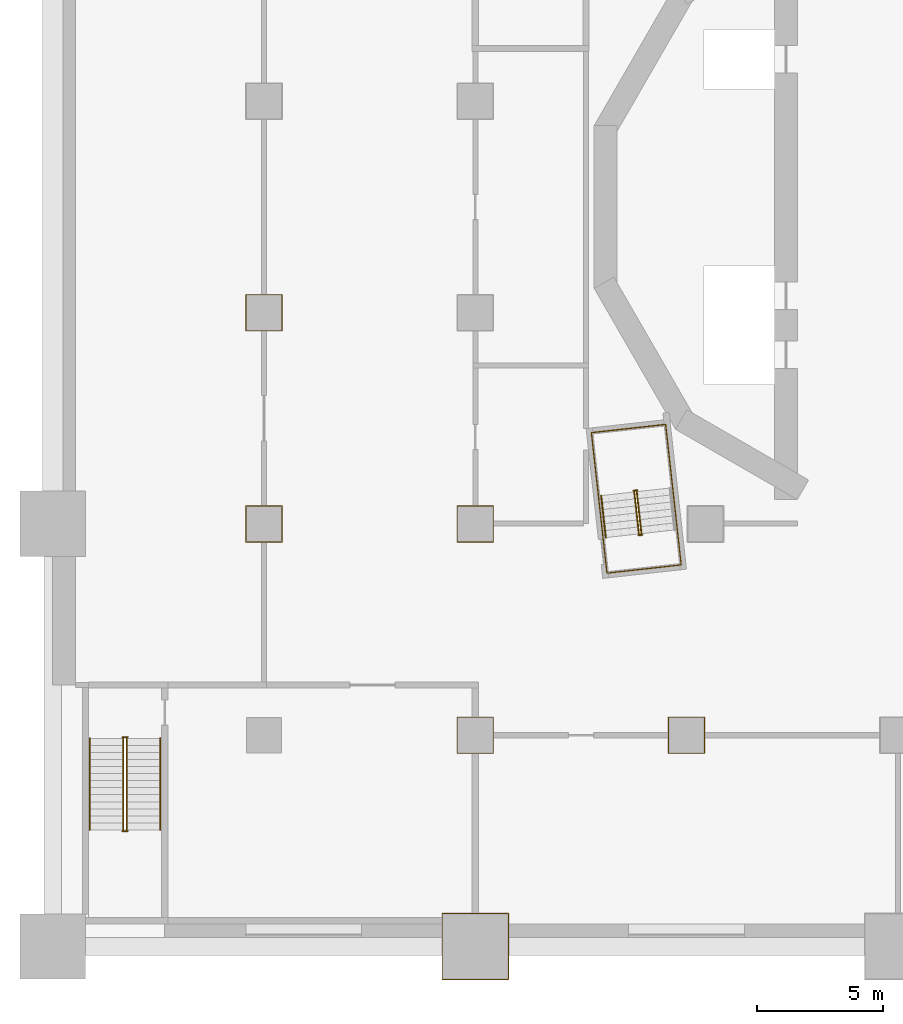
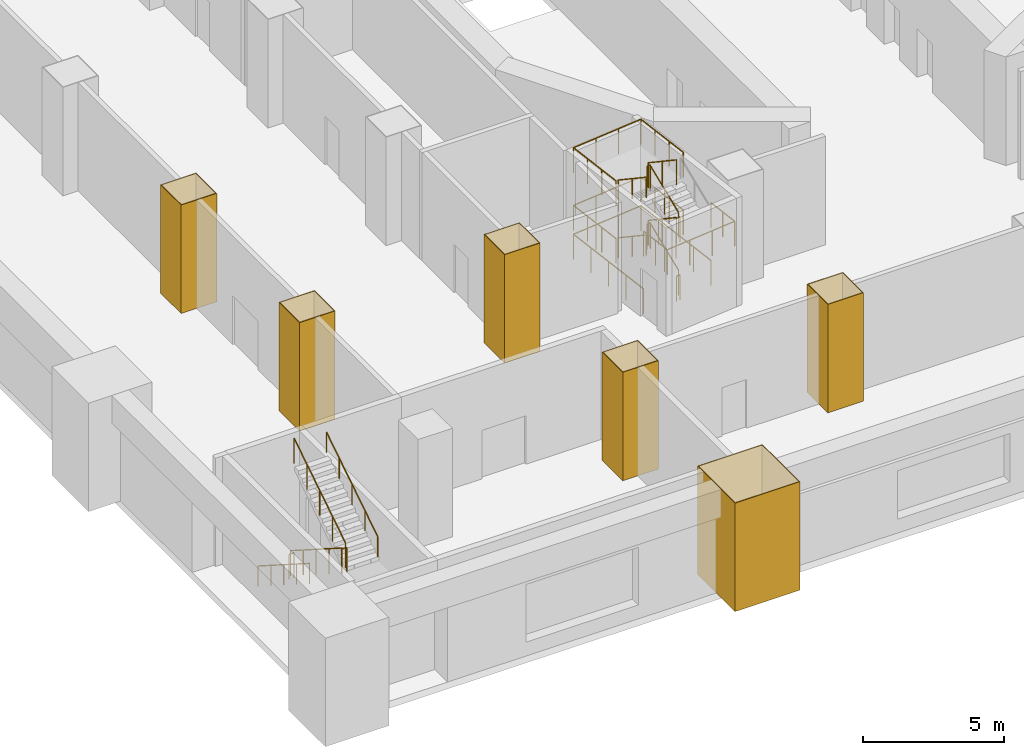
# One storey, part 9 of 18: 17 railings, 6 coverings.
"""IFC4 building model written with IfcOpenShell, lengths in metres."""

from ifc_helpers import new_model, si_unit, direction, frame, origin, origin_2d, place, context, subcontext, project, spatial, polyline, circle, outline, extrude, material, layer, layer_set, type_object, element, save


model = new_model("IFC4")

# Units and contexts
model_context = context("Model", 3, precision=1e-05, world=origin(), true_north=direction((0.0, 1.0)))
body_context = subcontext(model_context, "Body", "Model", "MODEL_VIEW")
ifc_project = project(units=[si_unit("LENGTHUNIT", "METRE"), si_unit("AREAUNIT", "SQUARE_METRE"), si_unit("VOLUMEUNIT", "CUBIC_METRE"), si_unit("PLANEANGLEUNIT", "RADIAN"), si_unit("MASSUNIT", "GRAM", prefix="KILO")], contexts=[model_context])

# Site, building, storey
site_placement = place(None, origin())
site = spatial("IfcSite", under=ifc_project, at=site_placement, CompositionType="ELEMENT")
building_placement = place(site_placement, origin())
building = spatial("IfcBuilding", under=site, at=building_placement, Name="Cantera Rosa Tower", CompositionType="ELEMENT")
storey_placement = place(building_placement, frame((0.0, 0.0, 17.0)))
storey = spatial("IfcBuildingStorey", under=building, at=storey_placement, Name="L02", CompositionType="ELEMENT", Elevation=17.0)

# Coverings
ifc_material_1 = material(Name="Plaster")
ifc_layer = layer(ifc_material_1, 0.030029296875)
ifc_layer_set = layer_set([ifc_layer], Name="Column casing 30")
covering_type = type_object("IfcCoveringType", Name="Column casing 30", PredefinedType="CLADDING", material=ifc_layer_set)
covering_1_placement = place(storey_placement, origin())
element("IfcCovering", 1, at=covering_1_placement, inside=storey, type_object=covering_type, Name="Column casing L02-001", PredefinedType="CLADDING", context=body_context, shape_type="SweptSolid", body=[
    extrude(outline(polyline([(-25.929931640625, -13.330078125), (-24.469970703125, -13.330078125), (-24.469970703125, -11.8701171875), (-25.929931640625, -11.8701171875), (-25.929931640625, -13.330078125)]), holes=[polyline([(-24.5, -11.89990234375), (-25.89990234375, -11.89990234375), (-25.89990234375, -13.300048828125), (-24.5, -13.300048828125), (-24.5, -11.89990234375)])]), origin(), (0.0, 0.0, 1.0), 4.699951171875),
])
covering_2_placement = place(storey_placement, origin())
element("IfcCovering", 2, at=covering_2_placement, inside=storey, type_object=covering_type, Name="Column casing L02-002", PredefinedType="CLADDING", context=body_context, shape_type="SweptSolid", body=[
    extrude(outline(polyline([(-25.929931640625, -4.929931640625), (-24.469970703125, -4.929931640625), (-24.469970703125, -3.469970703125), (-25.929931640625, -3.469970703125), (-25.929931640625, -4.929931640625)]), holes=[polyline([(-24.5, -3.5), (-25.89990234375, -3.5), (-25.89990234375, -4.89990234375), (-24.5, -4.89990234375), (-24.5, -3.5)])]), origin(), (0.0, 0.0, 1.0), 4.699951171875),
])
covering_3_placement = place(storey_placement, origin())
element("IfcCovering", 3, at=covering_3_placement, inside=storey, type_object=covering_type, Name="Column casing L02-005", PredefinedType="CLADDING", context=body_context, shape_type="SweptSolid", body=[
    extrude(outline(polyline([(-18.1298828125, -30.72998046875), (-15.469970703125, -30.72998046875), (-15.469970703125, -28.070068359375), (-18.1298828125, -28.070068359375), (-18.1298828125, -30.72998046875)]), holes=[polyline([(-15.5, -28.10009765625), (-18.10009765625, -28.10009765625), (-18.10009765625, -30.699951171875), (-15.5, -30.699951171875), (-15.5, -28.10009765625)])]), origin(), (0.0, 0.0, 1.0), 4.699951171875),
])
covering_4_placement = place(storey_placement, origin())
element("IfcCovering", 4, at=covering_4_placement, inside=storey, type_object=covering_type, Name="Column casing L02-006", PredefinedType="CLADDING", context=body_context, shape_type="SweptSolid", body=[
    extrude(outline(polyline([(-17.530029296875, -21.72998046875), (-16.070068359375, -21.72998046875), (-16.070068359375, -20.27001953125), (-17.530029296875, -20.27001953125), (-17.530029296875, -21.72998046875)]), holes=[polyline([(-16.10009765625, -20.300048828125), (-17.5, -20.300048828125), (-17.5, -21.699951171875), (-16.10009765625, -21.699951171875), (-16.10009765625, -20.300048828125)])]), origin(), (0.0, 0.0, 1.0), 4.699951171875),
])
covering_5_placement = place(storey_placement, origin())
element("IfcCovering", 5, at=covering_5_placement, inside=storey, type_object=covering_type, Name="Column casing L02-007", PredefinedType="CLADDING", context=body_context, shape_type="SweptSolid", body=[
    extrude(outline(polyline([(-17.530029296875, -13.330078125), (-16.070068359375, -13.330078125), (-16.070068359375, -11.8701171875), (-17.530029296875, -11.8701171875), (-17.530029296875, -13.330078125)]), holes=[polyline([(-16.10009765625, -11.89990234375), (-17.5, -11.89990234375), (-17.5, -13.300048828125), (-16.10009765625, -13.300048828125), (-16.10009765625, -11.89990234375)])]), origin(), (0.0, 0.0, 1.0), 4.699951171875),
])
covering_6_placement = place(storey_placement, origin())
element("IfcCovering", 6, at=covering_6_placement, inside=storey, type_object=covering_type, Name="Column casing L02-013", PredefinedType="CLADDING", context=body_context, shape_type="SweptSolid", body=[
    extrude(outline(polyline([(-9.1298828125, -21.72998046875), (-7.669921875, -21.72998046875), (-7.669921875, -20.27001953125), (-9.1298828125, -20.27001953125), (-9.1298828125, -21.72998046875)]), holes=[polyline([(-7.699951171875, -20.300048828125), (-9.10009765625, -20.300048828125), (-9.10009765625, -21.699951171875), (-7.699951171875, -21.699951171875), (-7.699951171875, -20.300048828125)])]), origin(), (0.0, 0.0, 1.0), 4.699951171875),
])

# Railings
ifc_material_2 = material(Name="Steel S355J2 (EN 10025-2)", Category="steel")
railing_type_1 = type_object("IfcRailingType", Name="STAIR GUARD 1100", PredefinedType="GUARDRAIL", material=ifc_material_2)
railing_1_placement = place(storey_placement, frame((-10.19677734375, -12.986083984375, 0.178466796875)))
element("IfcRailing", 7, at=railing_1_placement, inside=storey, type_object=railing_type_1, Name="L02 ST-13 stair guard 1", PredefinedType="GUARDRAIL", context=body_context, shape_type="SweptSolid", body=[
    extrude(circle(Radius=0.02392578125, at=origin_2d()), frame((0.0, 0.0, 1.076171875), z_axis=(-0.092996744609, 0.837950904326, 0.537763784046), x_axis=(-0.993897904819, -0.110303920128, 0.0)), (0.0, 0.0, 1.0), 1.99267578125),
    extrude(circle(Radius=0.02392578125, at=origin_2d()), frame((-0.185302734375, 1.669677734375, 2.1474609375), z_axis=(0.358689472963, 0.933456941688, 0.0), x_axis=(-0.933456941688, 0.358689472963, 0.0)), (0.0, 0.0, 1.0), 0.056396484375),
    extrude(circle(Radius=0.02392578125, at=origin_2d()), frame((-0.1650390625, 1.722412109375, 2.1474609375), z_axis=(-0.993863881828, -0.110610055588, 0.0), x_axis=(0.110610055588, -0.993863881828, 0.0)), (0.0, 0.0, 1.0), 0.150146484375),
    extrude(circle(Radius=0.02099609375, at=origin_2d()), origin(), (0.0, 0.0, 1.0), 1.052001953125),
    extrude(circle(Radius=0.02099609375, at=origin_2d()), frame((-0.0927734375, 0.8349609375, 0.53564453125)), (0.0, 0.0, 1.0), 1.052001953125),
    extrude(circle(Radius=0.02099609375, at=origin_2d()), frame((-0.185302734375, 1.669677734375, 1.071533203125)), (0.0, 0.0, 1.0), 1.052001953125),
    extrude(circle(Radius=0.02099609375, at=origin_2d()), frame((-0.1650390625, 1.722412109375, 1.071533203125)), (0.0, 0.0, 1.0), 1.052001953125),
    extrude(circle(Radius=0.02099609375, at=origin_2d()), frame((-0.314208984375, 1.705810546875, 1.071533203125)), (0.0, 0.0, 1.0), 1.052001953125),
])
railing_2_placement = place(storey_placement, frame((-10.4794921875, -11.3271484375, 1.428466796875)))
element("IfcRailing", 8, at=railing_2_placement, inside=storey, type_object=railing_type_1, Name="L02 ST-13 stair guard 2", PredefinedType="GUARDRAIL", context=body_context, shape_type="SweptSolid", body=[
    extrude(circle(Radius=0.02392578125, at=origin_2d()), frame((0.0, 0.0, 1.076171875), z_axis=(0.092996744609, -0.837950904326, 0.537763784046), x_axis=(0.993897904819, 0.110303920128, 0.0)), (0.0, 0.0, 1.0), 1.99267578125),
    extrude(circle(Radius=0.02392578125, at=origin_2d()), frame((0.185302734375, -1.669677734375, 2.1474609375), z_axis=(-0.363909256389, -0.931434406233, 0.0), x_axis=(0.931434406233, -0.363909256389, 0.0)), (0.0, 0.0, 1.0), 0.056396484375),
    extrude(circle(Radius=0.02392578125, at=origin_2d()), frame((0.164794921875, -1.72216796875, 2.1474609375), z_axis=(0.994041430915, 0.1090029065, 0.0), x_axis=(-0.1090029065, 0.994041430915, 0.0)), (0.0, 0.0, 1.0), 0.150146484375),
    extrude(circle(Radius=0.02099609375, at=origin_2d()), origin(), (0.0, 0.0, 1.0), 1.052001953125),
    extrude(circle(Radius=0.02099609375, at=origin_2d()), frame((0.0927734375, -0.8349609375, 0.53564453125)), (0.0, 0.0, 1.0), 1.052001953125),
    extrude(circle(Radius=0.02099609375, at=origin_2d()), frame((0.185302734375, -1.669677734375, 1.071533203125)), (0.0, 0.0, 1.0), 1.052001953125),
    extrude(circle(Radius=0.02099609375, at=origin_2d()), frame((0.164794921875, -1.72216796875, 1.071533203125)), (0.0, 0.0, 1.0), 1.052001953125),
    extrude(circle(Radius=0.02099609375, at=origin_2d()), frame((0.31396484375, -1.705810546875, 1.071533203125)), (0.0, 0.0, 1.0), 1.052001953125),
])
railing_3_placement = place(storey_placement, frame((-10.19677734375, -12.986083984375, 2.678466796875)))
element("IfcRailing", 9, at=railing_3_placement, inside=storey, type_object=railing_type_1, Name="L02 ST-13 stair guard 3", PredefinedType="GUARDRAIL", context=body_context, shape_type="SweptSolid", body=[
    extrude(circle(Radius=0.02392578125, at=origin_2d()), frame((0.0, 0.0, 1.076171875), z_axis=(-0.092996744609, 0.837950904326, 0.537763784046), x_axis=(-0.993897904819, -0.110303920128, 0.0)), (0.0, 0.0, 1.0), 1.99267578125),
    extrude(circle(Radius=0.02392578125, at=origin_2d()), frame((-0.185302734375, 1.669677734375, 2.1474609375), z_axis=(0.358689472963, 0.933456941688, 0.0), x_axis=(-0.933456941688, 0.358689472963, 0.0)), (0.0, 0.0, 1.0), 0.056396484375),
    extrude(circle(Radius=0.02392578125, at=origin_2d()), frame((-0.1650390625, 1.722412109375, 2.1474609375), z_axis=(-0.993863881828, -0.110610055588, 0.0), x_axis=(0.110610055588, -0.993863881828, 0.0)), (0.0, 0.0, 1.0), 0.150146484375),
    extrude(circle(Radius=0.02099609375, at=origin_2d()), origin(), (0.0, 0.0, 1.0), 1.052001953125),
    extrude(circle(Radius=0.02099609375, at=origin_2d()), frame((-0.0927734375, 0.8349609375, 0.53564453125)), (0.0, 0.0, 1.0), 1.052001953125),
    extrude(circle(Radius=0.02099609375, at=origin_2d()), frame((-0.185302734375, 1.669677734375, 1.071533203125)), (0.0, 0.0, 1.0), 1.052001953125),
    extrude(circle(Radius=0.02099609375, at=origin_2d()), frame((-0.1650390625, 1.722412109375, 1.071533203125)), (0.0, 0.0, 1.0), 1.052001953125),
    extrude(circle(Radius=0.02099609375, at=origin_2d()), frame((-0.314208984375, 1.705810546875, 1.071533203125)), (0.0, 0.0, 1.0), 1.052001953125),
])
railing_4_placement = place(storey_placement, frame((-10.4794921875, -11.3271484375, 3.928466796875)))
element("IfcRailing", 10, at=railing_4_placement, inside=storey, type_object=railing_type_1, Name="L02 ST-13 stair guard 4", PredefinedType="GUARDRAIL", context=body_context, shape_type="SweptSolid", body=[
    extrude(circle(Radius=0.02392578125, at=origin_2d()), frame((0.0, 0.0, 1.076171875), z_axis=(0.092996744609, -0.837950904326, 0.537763784046), x_axis=(0.993897904819, 0.110303920128, 0.0)), (0.0, 0.0, 1.0), 1.99267578125),
    extrude(circle(Radius=0.02099609375, at=origin_2d()), origin(), (0.0, 0.0, 1.0), 1.052001953125),
    extrude(circle(Radius=0.02099609375, at=origin_2d()), frame((0.0927734375, -0.8349609375, 0.53564453125)), (0.0, 0.0, 1.0), 1.052001953125),
    extrude(circle(Radius=0.02099609375, at=origin_2d()), frame((0.185302734375, -1.669677734375, 1.071533203125)), (0.0, 0.0, 1.0), 1.052001953125),
])
railing_5_placement = place(storey_placement, frame((-10.16552734375, -13.032958984375, 0.0)))
element("IfcRailing", 11, at=railing_5_placement, inside=storey, type_object=railing_type_1, Name="L02 ST-13 stair guard 5", PredefinedType="GUARDRAIL", context=body_context, shape_type="SweptSolid", body=[
    extrude(circle(Radius=0.02392578125, at=origin_2d()), frame((0.0, 0.0, 1.076171875), z_axis=(-0.994041430915, -0.1090029065, 0.0), x_axis=(0.1090029065, -0.994041430915, 0.0)), (0.0, 0.0, 1.0), 0.150146484375),
    extrude(circle(Radius=0.02099609375, at=origin_2d()), origin(), (0.0, 0.0, 1.0), 1.052001953125),
    extrude(circle(Radius=0.02099609375, at=origin_2d()), frame((-0.149169921875, -0.016357421875, 0.0)), (0.0, 0.0, 1.0), 1.052001953125),
])
railing_6_placement = place(storey_placement, frame((-8.77099609375, -12.815673828125, 0.0)))
element("IfcRailing", 12, at=railing_6_placement, inside=storey, type_object=railing_type_1, Name="L02 ST-13 stair guard 6", PredefinedType="GUARDRAIL", context=body_context, shape_type="SweptSolid", body=[
    extrude(circle(Radius=0.02392578125, at=origin_2d()), frame((0.0, 0.0, 1.076171875), z_axis=(-0.110323013767, 0.9938957856, 0.0), x_axis=(-0.9938957856, -0.110323013767, 0.0)), (0.0, 0.0, 1.0), 4.197998046875),
    extrude(circle(Radius=0.02392578125, at=origin_2d()), frame((-0.463134765625, 4.17236328125, 1.076171875), z_axis=(-0.993896759678, -0.110314237986, 0.0), x_axis=(0.110314237986, -0.993896759678, 0.0)), (0.0, 0.0, 1.0), 2.969970703125),
    extrude(circle(Radius=0.02392578125, at=origin_2d()), frame((-3.4150390625, 3.8447265625, 1.076171875), z_axis=(0.110323013767, -0.9938957856, 0.0), x_axis=(0.9938957856, 0.110323013767, 0.0)), (0.0, 0.0, 1.0), 4.197998046875),
    extrude(circle(Radius=0.02099609375, at=origin_2d()), origin(), (0.0, 0.0, 1.0), 1.052001953125),
    extrude(circle(Radius=0.02099609375, at=origin_2d()), frame((-0.11572265625, 1.04296875, 0.0)), (0.0, 0.0, 1.0), 1.052001953125),
    extrude(circle(Radius=0.02099609375, at=origin_2d()), frame((-0.2314453125, 2.086181640625, 0.0)), (0.0, 0.0, 1.0), 1.052001953125),
    extrude(circle(Radius=0.02099609375, at=origin_2d()), frame((-0.347412109375, 3.12939453125, 0.0)), (0.0, 0.0, 1.0), 1.052001953125),
    extrude(circle(Radius=0.02099609375, at=origin_2d()), frame((-0.463134765625, 4.17236328125, 0.0)), (0.0, 0.0, 1.0), 1.052001953125),
    extrude(circle(Radius=0.02099609375, at=origin_2d()), frame((-1.447021484375, 4.063232421875, 0.0)), (0.0, 0.0, 1.0), 1.052001953125),
    extrude(circle(Radius=0.02099609375, at=origin_2d()), frame((-2.43115234375, 3.953857421875, 0.0)), (0.0, 0.0, 1.0), 1.052001953125),
    extrude(circle(Radius=0.02099609375, at=origin_2d()), frame((-3.4150390625, 3.8447265625, 0.0)), (0.0, 0.0, 1.0), 1.052001953125),
    extrude(circle(Radius=0.02099609375, at=origin_2d()), frame((-3.29931640625, 2.8017578125, 0.0)), (0.0, 0.0, 1.0), 1.052001953125),
    extrude(circle(Radius=0.02099609375, at=origin_2d()), frame((-3.18359375, 1.758544921875, 0.0)), (0.0, 0.0, 1.0), 1.052001953125),
    extrude(circle(Radius=0.02099609375, at=origin_2d()), frame((-3.067626953125, 0.71533203125, 0.0)), (0.0, 0.0, 1.0), 1.052001953125),
    extrude(circle(Radius=0.02099609375, at=origin_2d()), frame((-2.951904296875, -0.32763671875, 0.0)), (0.0, 0.0, 1.0), 1.052001953125),
])
railing_7_placement = place(storey_placement, frame((-8.95361328125, -11.169921875, 1.25)))
element("IfcRailing", 13, at=railing_7_placement, inside=storey, type_object=railing_type_1, Name="L02 ST-13 stair guard 7", PredefinedType="GUARDRAIL", context=body_context, shape_type="SweptSolid", body=[
    extrude(circle(Radius=0.02392578125, at=origin_2d()), frame((0.0, 0.0, 1.076171875), z_axis=(-0.110347199982, 0.993893100618, 0.0), x_axis=(-0.993893100618, -0.110347199982, 0.0)), (0.0, 0.0, 1.0), 2.542236328125),
    extrude(circle(Radius=0.02392578125, at=origin_2d()), frame((-0.280517578125, 2.526611328125, 1.076171875), z_axis=(-0.993896759678, -0.110314237986, 0.0), x_axis=(0.110314237986, -0.993896759678, 0.0)), (0.0, 0.0, 1.0), 2.969970703125),
    extrude(circle(Radius=0.02392578125, at=origin_2d()), frame((-3.232421875, 2.198974609375, 1.076171875), z_axis=(0.110347199982, -0.993893100618, 0.0), x_axis=(0.993893100618, 0.110347199982, 0.0)), (0.0, 0.0, 1.0), 2.542236328125),
    extrude(circle(Radius=0.02099609375, at=origin_2d()), origin(), (0.0, 0.0, 1.0), 1.052001953125),
    extrude(circle(Radius=0.02099609375, at=origin_2d()), frame((-0.093505859375, 0.84228515625, 0.0)), (0.0, 0.0, 1.0), 1.052001953125),
    extrude(circle(Radius=0.02099609375, at=origin_2d()), frame((-0.18701171875, 1.684326171875, 0.0)), (0.0, 0.0, 1.0), 1.052001953125),
    extrude(circle(Radius=0.02099609375, at=origin_2d()), frame((-0.280517578125, 2.526611328125, 0.0)), (0.0, 0.0, 1.0), 1.052001953125),
    extrude(circle(Radius=0.02099609375, at=origin_2d()), frame((-1.264404296875, 2.41748046875, 0.0)), (0.0, 0.0, 1.0), 1.052001953125),
    extrude(circle(Radius=0.02099609375, at=origin_2d()), frame((-2.24853515625, 2.30810546875, 0.0)), (0.0, 0.0, 1.0), 1.052001953125),
    extrude(circle(Radius=0.02099609375, at=origin_2d()), frame((-3.232421875, 2.198974609375, 0.0)), (0.0, 0.0, 1.0), 1.052001953125),
    extrude(circle(Radius=0.02099609375, at=origin_2d()), frame((-3.138916015625, 1.356689453125, 0.0)), (0.0, 0.0, 1.0), 1.052001953125),
    extrude(circle(Radius=0.02099609375, at=origin_2d()), frame((-3.04541015625, 0.5146484375, 0.0)), (0.0, 0.0, 1.0), 1.052001953125),
    extrude(circle(Radius=0.02099609375, at=origin_2d()), frame((-2.951904296875, -0.32763671875, 0.0)), (0.0, 0.0, 1.0), 1.052001953125),
])
railing_8_placement = place(storey_placement, frame((-8.77099609375, -12.815673828125, 2.5)))
element("IfcRailing", 14, at=railing_8_placement, inside=storey, type_object=railing_type_1, Name="L02 ST-13 stair guard 8", PredefinedType="GUARDRAIL", context=body_context, shape_type="SweptSolid", body=[
    extrude(circle(Radius=0.02392578125, at=origin_2d()), frame((0.0, 0.0, 1.076171875), z_axis=(0.110393838913, -0.993887921413, 0.0), x_axis=(0.993887921413, 0.110393838913, 0.0)), (0.0, 0.0, 1.0), 1.422119140625),
    extrude(circle(Radius=0.02392578125, at=origin_2d()), frame((0.156982421875, -1.413330078125, 1.076171875), z_axis=(-0.993896759678, -0.110314237986, 0.0), x_axis=(0.110314237986, -0.993896759678, 0.0)), (0.0, 0.0, 1.0), 2.969970703125),
    extrude(circle(Radius=0.02392578125, at=origin_2d()), frame((-2.794921875, -1.740966796875, 1.076171875), z_axis=(-0.110393838913, 0.993887921413, 0.0), x_axis=(-0.993887921413, -0.110393838913, 0.0)), (0.0, 0.0, 1.0), 1.422119140625),
    extrude(circle(Radius=0.02099609375, at=origin_2d()), origin(), (0.0, 0.0, 1.0), 1.052001953125),
    extrude(circle(Radius=0.02099609375, at=origin_2d()), frame((0.07861328125, -0.70654296875, 0.0)), (0.0, 0.0, 1.0), 1.052001953125),
    extrude(circle(Radius=0.02099609375, at=origin_2d()), frame((0.156982421875, -1.413330078125, 0.0)), (0.0, 0.0, 1.0), 1.052001953125),
    extrude(circle(Radius=0.02099609375, at=origin_2d()), frame((-0.826904296875, -1.5224609375, 0.0)), (0.0, 0.0, 1.0), 1.052001953125),
    extrude(circle(Radius=0.02099609375, at=origin_2d()), frame((-1.81103515625, -1.6318359375, 0.0)), (0.0, 0.0, 1.0), 1.052001953125),
    extrude(circle(Radius=0.02099609375, at=origin_2d()), frame((-2.794921875, -1.740966796875, 0.0)), (0.0, 0.0, 1.0), 1.052001953125),
    extrude(circle(Radius=0.02099609375, at=origin_2d()), frame((-2.87353515625, -1.0341796875, 0.0)), (0.0, 0.0, 1.0), 1.052001953125),
    extrude(circle(Radius=0.02099609375, at=origin_2d()), frame((-2.951904296875, -0.32763671875, 0.0)), (0.0, 0.0, 1.0), 1.052001953125),
])
railing_9_placement = place(storey_placement, frame((-8.95361328125, -11.169921875, 3.75)))
element("IfcRailing", 15, at=railing_9_placement, inside=storey, type_object=railing_type_1, Name="L02 ST-13 stair guard 9", PredefinedType="GUARDRAIL", context=body_context, shape_type="SweptSolid", body=[
    extrude(circle(Radius=0.02392578125, at=origin_2d()), frame((0.0, 0.0, 1.076171875), z_axis=(-0.110347199982, 0.993893100618, 0.0), x_axis=(-0.993893100618, -0.110347199982, 0.0)), (0.0, 0.0, 1.0), 2.542236328125),
    extrude(circle(Radius=0.02392578125, at=origin_2d()), frame((-0.280517578125, 2.526611328125, 1.076171875), z_axis=(-0.993896759678, -0.110314237986, 0.0), x_axis=(0.110314237986, -0.993896759678, 0.0)), (0.0, 0.0, 1.0), 2.969970703125),
    extrude(circle(Radius=0.02392578125, at=origin_2d()), frame((-3.232421875, 2.198974609375, 1.076171875), z_axis=(0.110347199982, -0.993893100618, 0.0), x_axis=(0.993893100618, 0.110347199982, 0.0)), (0.0, 0.0, 1.0), 2.542236328125),
    extrude(circle(Radius=0.02099609375, at=origin_2d()), origin(), (0.0, 0.0, 1.0), 1.052001953125),
    extrude(circle(Radius=0.02099609375, at=origin_2d()), frame((-0.093505859375, 0.84228515625, 0.0)), (0.0, 0.0, 1.0), 1.052001953125),
    extrude(circle(Radius=0.02099609375, at=origin_2d()), frame((-0.18701171875, 1.684326171875, 0.0)), (0.0, 0.0, 1.0), 1.052001953125),
    extrude(circle(Radius=0.02099609375, at=origin_2d()), frame((-0.280517578125, 2.526611328125, 0.0)), (0.0, 0.0, 1.0), 1.052001953125),
    extrude(circle(Radius=0.02099609375, at=origin_2d()), frame((-1.264404296875, 2.41748046875, 0.0)), (0.0, 0.0, 1.0), 1.052001953125),
    extrude(circle(Radius=0.02099609375, at=origin_2d()), frame((-2.24853515625, 2.30810546875, 0.0)), (0.0, 0.0, 1.0), 1.052001953125),
    extrude(circle(Radius=0.02099609375, at=origin_2d()), frame((-3.232421875, 2.198974609375, 0.0)), (0.0, 0.0, 1.0), 1.052001953125),
    extrude(circle(Radius=0.02099609375, at=origin_2d()), frame((-3.138916015625, 1.356689453125, 0.0)), (0.0, 0.0, 1.0), 1.052001953125),
    extrude(circle(Radius=0.02099609375, at=origin_2d()), frame((-3.04541015625, 0.5146484375, 0.0)), (0.0, 0.0, 1.0), 1.052001953125),
    extrude(circle(Radius=0.02099609375, at=origin_2d()), frame((-2.951904296875, -0.32763671875, 0.0)), (0.0, 0.0, 1.0), 1.052001953125),
])
railing_10_placement = place(storey_placement, frame((-30.799072265625, -21.125, 0.178466796875)))
element("IfcRailing", 16, at=railing_10_placement, inside=storey, type_object=railing_type_1, Name="L02 ST-SW stair guard 1", PredefinedType="GUARDRAIL", context=body_context, shape_type="SweptSolid", body=[
    extrude(circle(Radius=0.02392578125, at=origin_2d()), frame((0.0, 0.0, 1.076171875), z_axis=(0.0, -0.843111507901, 0.53773877045), x_axis=(1.0, 0.0, 0.0)), (0.0, 0.0, 1.0), 4.317138671875),
    extrude(circle(Radius=0.02099609375, at=origin_2d()), origin(), (0.0, 0.0, 1.0), 1.052001953125),
    extrude(circle(Radius=0.02099609375, at=origin_2d()), frame((0.0, -0.909912109375, 0.580322265625)), (0.0, 0.0, 1.0), 1.052001953125),
    extrude(circle(Radius=0.02099609375, at=origin_2d()), frame((0.0, -1.81982421875, 1.16064453125)), (0.0, 0.0, 1.0), 1.052001953125),
    extrude(circle(Radius=0.02099609375, at=origin_2d()), frame((0.0, -2.72998046875, 1.7412109375)), (0.0, 0.0, 1.0), 1.052001953125),
    extrude(circle(Radius=0.02099609375, at=origin_2d()), frame((0.0, -3.639892578125, 2.321533203125)), (0.0, 0.0, 1.0), 1.052001953125),
])
railing_11_placement = place(storey_placement, frame((-30.824951171875, -24.81494140625, 2.5)))
element("IfcRailing", 17, at=railing_11_placement, inside=storey, type_object=railing_type_1, Name="L02 ST-SW stair guard 2", PredefinedType="GUARDRAIL", context=body_context, shape_type="SweptSolid", body=[
    extrude(circle(Radius=0.02392578125, at=origin_2d()), frame((0.0, 0.0, 1.076171875), z_axis=(1.0, 0.0, 0.0), x_axis=(0.0, 1.0, 0.0)), (0.0, 0.0, 1.0), 0.199951171875),
    extrude(circle(Radius=0.02099609375, at=origin_2d()), origin(), (0.0, 0.0, 1.0), 1.052001953125),
    extrude(circle(Radius=0.02099609375, at=origin_2d()), frame((0.199951171875, 0.0, 0.0)), (0.0, 0.0, 1.0), 1.052001953125),
])
railing_12_placement = place(storey_placement, frame((-30.65087890625, -24.764892578125, 2.678466796875)))
element("IfcRailing", 18, at=railing_12_placement, inside=storey, type_object=railing_type_1, Name="L02 ST-SW stair guard 3", PredefinedType="GUARDRAIL", context=body_context, shape_type="SweptSolid", body=[
    extrude(circle(Radius=0.02392578125, at=origin_2d()), frame((0.0, 0.0, 1.076171875), z_axis=(0.0, 0.843111507901, 0.53773877045), x_axis=(-1.0, 0.0, 0.0)), (0.0, 0.0, 1.0), 4.317138671875),
    extrude(circle(Radius=0.02099609375, at=origin_2d()), origin(), (0.0, 0.0, 1.0), 1.052001953125),
    extrude(circle(Radius=0.02099609375, at=origin_2d()), frame((0.0, 0.909912109375, 0.580322265625)), (0.0, 0.0, 1.0), 1.052001953125),
    extrude(circle(Radius=0.02099609375, at=origin_2d()), frame((0.0, 1.81982421875, 1.16064453125)), (0.0, 0.0, 1.0), 1.052001953125),
    extrude(circle(Radius=0.02099609375, at=origin_2d()), frame((0.0, 2.72998046875, 1.7412109375)), (0.0, 0.0, 1.0), 1.052001953125),
    extrude(circle(Radius=0.02099609375, at=origin_2d()), frame((0.0, 3.639892578125, 2.321533203125)), (0.0, 0.0, 1.0), 1.052001953125),
])
railing_13_placement = place(storey_placement, frame((-30.824951171875, -21.074951171875, 0.0)))
element("IfcRailing", 19, at=railing_13_placement, inside=storey, type_object=railing_type_1, Name="L02 ST-SW stair guard 4", PredefinedType="GUARDRAIL", context=body_context, shape_type="SweptSolid", body=[
    extrude(circle(Radius=0.02392578125, at=origin_2d()), frame((0.0, 0.0, 1.076171875), z_axis=(1.0, 0.0, 0.0), x_axis=(0.0, 1.0, 0.0)), (0.0, 0.0, 1.0), 0.199951171875),
    extrude(circle(Radius=0.02099609375, at=origin_2d()), origin(), (0.0, 0.0, 1.0), 1.052001953125),
    extrude(circle(Radius=0.02099609375, at=origin_2d()), frame((0.199951171875, 0.0, 0.0)), (0.0, 0.0, 1.0), 1.052001953125),
])
ifc_material_3 = material(Name="Steel S355J2 (EN 10025-2)", Category="steel")
railing_type_2 = type_object("IfcRailingType", Name="STAIR HANDRAIL 900", PredefinedType="HANDRAIL", material=ifc_material_3)
for number, where, name in (
    (20, (-11.797607421875, -11.473388671875, 1.428466796875), "L02 ST-13 stair handrail 2"),
    (21, (-11.797607421875, -11.473388671875, 3.928466796875), "L02 ST-13 stair handrail 4"),
):
    element("IfcRailing", number, at=place(storey_placement, frame(where)), inside=storey, type_object=railing_type_2, Name=name, PredefinedType="HANDRAIL", context=body_context, shape_type="SweptSolid", body=[
        extrude(circle(Radius=0.02392578125, at=origin_2d()), frame((0.0, 0.0, 0.8759765625), z_axis=(0.09311820824, -0.837941350202, 0.537757652586), x_axis=(0.993881962282, 0.110447476434, 0.0)), (0.0, 0.0, 1.0), 1.99267578125),
        extrude(circle(Radius=0.02099609375, at=origin_2d()), origin(), (0.0, 0.0, 1.0), 0.851806640625),
        extrude(circle(Radius=0.02099609375, at=origin_2d()), frame((0.0927734375, -0.8349609375, 0.53564453125)), (0.0, 0.0, 1.0), 0.851806640625),
        extrude(circle(Radius=0.02099609375, at=origin_2d()), frame((0.185546875, -1.669677734375, 1.071533203125)), (0.0, 0.0, 1.0), 0.851806640625),
    ])
railing_14_placement = place(storey_placement, frame((-32.125, -21.125, 0.178466796875)))
element("IfcRailing", 22, at=railing_14_placement, inside=storey, type_object=railing_type_2, Name="L02 ST-SW stair handrail 1", PredefinedType="HANDRAIL", context=body_context, shape_type="SweptSolid", body=[
    extrude(circle(Radius=0.02392578125, at=origin_2d()), frame((0.0, 0.0, 0.8759765625), z_axis=(0.0, -0.843111507901, 0.53773877045), x_axis=(1.0, 0.0, 0.0)), (0.0, 0.0, 1.0), 4.317138671875),
    extrude(circle(Radius=0.02099609375, at=origin_2d()), origin(), (0.0, 0.0, 1.0), 0.851806640625),
    extrude(circle(Radius=0.02099609375, at=origin_2d()), frame((0.0, -0.909912109375, 0.580322265625)), (0.0, 0.0, 1.0), 0.851806640625),
    extrude(circle(Radius=0.02099609375, at=origin_2d()), frame((0.0, -1.81982421875, 1.16064453125)), (0.0, 0.0, 1.0), 0.851806640625),
    extrude(circle(Radius=0.02099609375, at=origin_2d()), frame((0.0, -2.72998046875, 1.7412109375)), (0.0, 0.0, 1.0), 0.851806640625),
    extrude(circle(Radius=0.02099609375, at=origin_2d()), frame((0.0, -3.639892578125, 2.321533203125)), (0.0, 0.0, 1.0), 0.851806640625),
])
railing_15_placement = place(storey_placement, frame((-29.324951171875, -24.764892578125, 2.678466796875)))
element("IfcRailing", 23, at=railing_15_placement, inside=storey, type_object=railing_type_2, Name="L02 ST-SW stair handrail 2", PredefinedType="HANDRAIL", context=body_context, shape_type="SweptSolid", body=[
    extrude(circle(Radius=0.02392578125, at=origin_2d()), frame((0.0, 0.0, 0.8759765625), z_axis=(0.0, 0.843111507901, 0.53773877045), x_axis=(-1.0, 0.0, 0.0)), (0.0, 0.0, 1.0), 4.317138671875),
    extrude(circle(Radius=0.02099609375, at=origin_2d()), origin(), (0.0, 0.0, 1.0), 0.851806640625),
    extrude(circle(Radius=0.02099609375, at=origin_2d()), frame((0.0, 0.909912109375, 0.580322265625)), (0.0, 0.0, 1.0), 0.851806640625),
    extrude(circle(Radius=0.02099609375, at=origin_2d()), frame((0.0, 1.81982421875, 1.16064453125)), (0.0, 0.0, 1.0), 0.851806640625),
    extrude(circle(Radius=0.02099609375, at=origin_2d()), frame((0.0, 2.72998046875, 1.7412109375)), (0.0, 0.0, 1.0), 0.851806640625),
    extrude(circle(Radius=0.02099609375, at=origin_2d()), frame((0.0, 3.639892578125, 2.321533203125)), (0.0, 0.0, 1.0), 0.851806640625),
])

save(model, "model.ifc")
